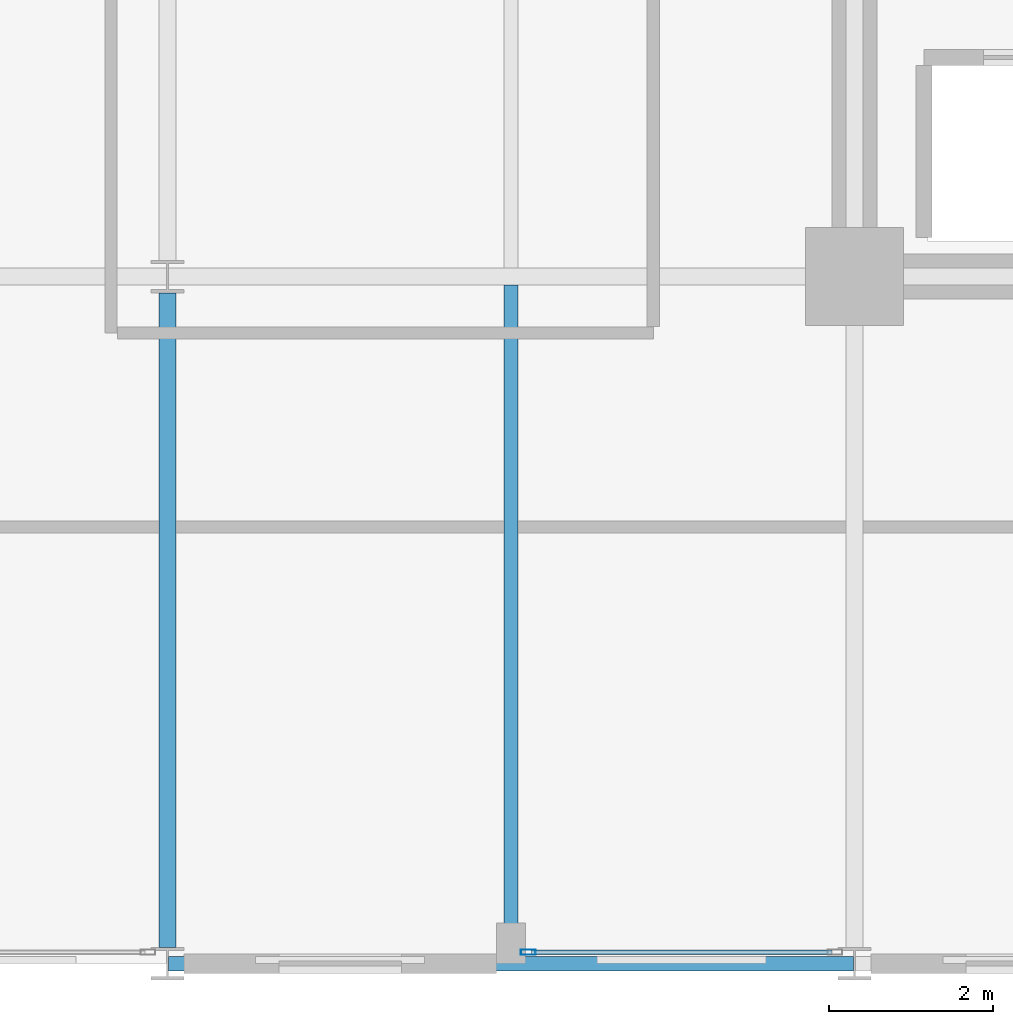
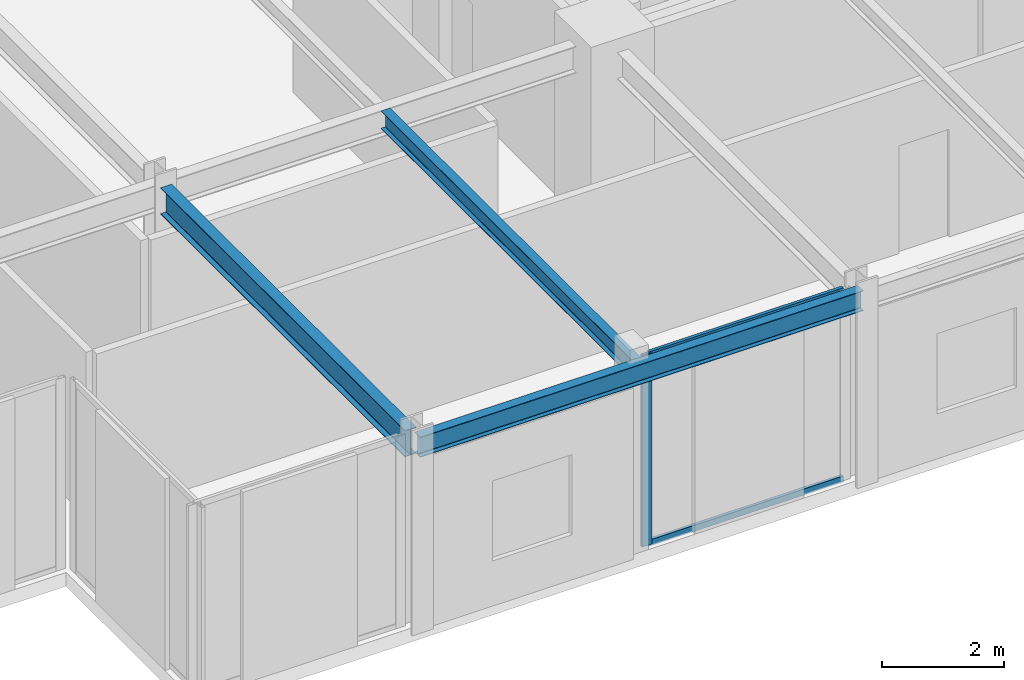
# One storey, part 3 of 29: 3 beams, 3 members, 1 element without a shape of its own.
"""IFC4 building model written with IfcOpenShell, lengths in metres."""

from ifc_helpers import new_model, si_unit, direction, frame, origin, origin_2d, place, context, subcontext, project, spatial, hollow_rectangle, i_section, extrude, material, layer, layer_set, material_profile, profile_set, type_object, element, aggregate, save


model = new_model("IFC4")

# Units and contexts
model_context = context("Model", 3, precision=1e-05, world=origin(), true_north=direction((0.0, 1.0)))
body_context = subcontext(model_context, "Body", "Model", "MODEL_VIEW")
ifc_project = project(units=[si_unit("LENGTHUNIT", "METRE"), si_unit("AREAUNIT", "SQUARE_METRE"), si_unit("VOLUMEUNIT", "CUBIC_METRE"), si_unit("PLANEANGLEUNIT", "RADIAN"), si_unit("MASSUNIT", "GRAM", prefix="KILO")], contexts=[model_context])

# Site, building, storey
site_placement = place(None, origin())
site = spatial("IfcSite", under=ifc_project, at=site_placement, CompositionType="ELEMENT")
building_placement = place(site_placement, origin())
building = spatial("IfcBuilding", under=site, at=building_placement, Name="Nerrivon Quay Data Exchange", CompositionType="ELEMENT")
storey_placement = place(building_placement, frame((0.0, 0.0, 150.0)))
storey = spatial("IfcBuildingStorey", under=building, at=storey_placement, Name="L35", CompositionType="ELEMENT", Elevation=150.0)

# Beams
ifc_material_1 = material(Name="Steel Grade 350", Category="steel")
ifc_material_profile_1 = material_profile(ifc_material_1, i_section(OverallWidth=0.208984375, OverallDepth=0.528076171875, WebThickness=0.009521484375, FlangeThickness=0.01318359375, FilletRadius=0.013916015625, at=origin_2d()), Name="530UB82.0")
ifc_profile_set_1 = profile_set([ifc_material_profile_1], Name="Steel Grade 350")
beam_type_1 = type_object("IfcBeamType", Name="BM-G4-530UB82", PredefinedType="BEAM", material=ifc_profile_set_1)
beam_1_placement = place(storey_placement, frame((8.39990234375, 0.199951171875, 3.56103515625), z_axis=(0.0, 1.0, 0.0), x_axis=(-1.0, 0.0, 0.0)))
element("IfcBeam", 1, at=beam_1_placement, inside=storey, type_object=beam_type_1, Name="L35 NS Girder X=8.4 (0.0..8.4)", PredefinedType="BEAM", context=body_context, shape_type="SweptSolid", body=[
    extrude(i_section(OverallWidth=0.208984375, OverallDepth=0.528076171875, WebThickness=0.009521484375, FlangeThickness=0.01318359375, FilletRadius=0.013916015625, at=origin_2d()), origin(), (0.0, 0.0, 1.0), 8.0),
])
ifc_material_profile_2 = material_profile(ifc_material_1, i_section(OverallWidth=0.1708984375, OverallDepth=0.35595703125, WebThickness=0.00732421875, FlangeThickness=0.011474609375, FilletRadius=0.011474609375, at=origin_2d()), Name="360UB50.7")
ifc_profile_set_2 = profile_set([ifc_material_profile_2], Name="Steel Grade 350")
beam_type_2 = type_object("IfcBeamType", Name="BM-J4-360UB51", PredefinedType="JOIST", material=ifc_profile_set_2)
beam_2_placement = place(storey_placement, frame((12.60009765625, 0.089111328125, 3.64697265625), z_axis=(0.0, 1.0, 0.0), x_axis=(-1.0, 0.0, 0.0)))
element("IfcBeam", 2, at=beam_2_placement, inside=storey, type_object=beam_type_2, Name="L35 Secondary Joist X=12.6 (0.0..8.4)", PredefinedType="JOIST", context=body_context, shape_type="SweptSolid", body=[
    extrude(i_section(OverallWidth=0.1708984375, OverallDepth=0.35595703125, WebThickness=0.00732421875, FlangeThickness=0.011474609375, FilletRadius=0.011474609375, at=origin_2d()), origin(), (0.0, 0.0, 1.0), 8.206298828125),
])
ifc_material_profile_3 = material_profile(ifc_material_1, i_section(OverallWidth=0.177978515625, OverallDepth=0.403076171875, WebThickness=0.007568359375, FlangeThickness=0.010986328125, FilletRadius=0.011474609375, at=origin_2d()), Name="410UB53.7")
ifc_profile_set_3 = profile_set([ifc_material_profile_3], Name="Steel Grade 350")
beam_type_3 = type_object("IfcBeamType", Name="BM-SP2-410UB54", PredefinedType="SPANDREL", material=ifc_profile_set_3)
beam_3_placement = place(storey_placement, frame((8.41259765625, 0.0, 3.62353515625), z_axis=(1.0, 0.0, 0.0), x_axis=(0.0, 1.0, 0.0)))
element("IfcBeam", 3, at=beam_3_placement, inside=storey, type_object=beam_type_3, Name="L35 EW Girder Y=0.0 (8.4..16.8)", PredefinedType="SPANDREL", context=body_context, shape_type="SweptSolid", body=[
    extrude(i_section(OverallWidth=0.177978515625, OverallDepth=0.403076171875, WebThickness=0.007568359375, FlangeThickness=0.010986328125, FilletRadius=0.011474609375, at=origin_2d()), origin(), (0.0, 0.0, 1.0), 8.375),
])

# Curtain wall, members
ifc_material_2 = material(Name="Anodised aluminium 6063-T6", Category="aluminium")
ifc_layer = layer(ifc_material_2, 0.2099609375)
ifc_layer_set = layer_set([ifc_layer], Name="Anodised aluminium 6063-T6")
curtain_wall_type = type_object("IfcCurtainWallType", Name="CW-SYS-02", PredefinedType="NOTDEFINED", material=ifc_layer_set)
curtain_wall_placement = place(storey_placement, origin())
curtain_wall = element("IfcCurtainWall", 4, at=curtain_wall_placement, inside=storey, type_object=curtain_wall_type, Name="L35 Unitised Curtain Wall 6", PredefinedType="NOTDEFINED")
ifc_material_profile_4 = material_profile(ifc_material_2, hollow_rectangle(XDim=0.06494140625, YDim=0.179931640625, WallThickness=0.00341796875, at=origin_2d()), Name="ALU-MULL-180x65")
ifc_profile_set_4 = profile_set([ifc_material_profile_4], Name="Anodised aluminium 6063-T6")
member_type_1 = type_object("IfcMemberType", Name="CWM-180x65", PredefinedType="MULLION", material=ifc_profile_set_4)
member_1_placement = place(storey_placement, frame((12.8125, 0.139892578125, 0.0), z_axis=(0.0, 0.0, 1.0), x_axis=(0.0, -1.0, 0.0)))
member_1 = element("IfcMember", 5, at=member_1_placement, type_object=member_type_1, Name="CW02 mullion 2", PredefinedType="MULLION", context=body_context, shape_type="SweptSolid", body=[
    extrude(hollow_rectangle(XDim=0.06494140625, YDim=0.179931640625, WallThickness=0.00341796875, at=origin_2d()), origin(), (0.0, 0.0, 1.0), 3.824951171875),
])
ifc_material_profile_5 = material_profile(ifc_material_2, hollow_rectangle(XDim=0.06005859375, YDim=0.1201171875, WallThickness=0.003173828125, at=origin_2d()), Name="ALU-TRAN-120x60")
ifc_profile_set_5 = profile_set([ifc_material_profile_5], Name="Anodised aluminium 6063-T6")
member_type_2 = type_object("IfcMemberType", Name="CWT-120x60", PredefinedType="USERDEFINED", material=ifc_profile_set_5)
member_2_placement = place(storey_placement, frame((16.52490234375, 0.139892578125, 0.032470703125), z_axis=(-1.0, 0.0, 0.0), x_axis=(0.0, -1.0, 0.0)))
member_2 = element("IfcMember", 6, at=member_2_placement, type_object=member_type_2, Name="CW02 transom 1.1", ObjectType="TRANSOM", PredefinedType="USERDEFINED", context=body_context, shape_type="SweptSolid", body=[
    extrude(hollow_rectangle(XDim=0.06005859375, YDim=0.1201171875, WallThickness=0.003173828125, at=origin_2d()), origin(), (0.0, 0.0, 1.0), 3.6748046875),
])
member_3_placement = place(storey_placement, frame((16.52490234375, 0.139892578125, 3.79248046875), z_axis=(-1.0, 0.0, 0.0), x_axis=(0.0, -1.0, 0.0)))
member_3 = element("IfcMember", 7, at=member_3_placement, type_object=member_type_2, Name="CW02 transom 1.2", ObjectType="TRANSOM", PredefinedType="USERDEFINED", context=body_context, shape_type="SweptSolid", body=[
    extrude(hollow_rectangle(XDim=0.06005859375, YDim=0.1201171875, WallThickness=0.003173828125, at=origin_2d()), origin(), (0.0, 0.0, 1.0), 3.6748046875),
])
aggregate(curtain_wall, [member_1, member_2, member_3])

save(model, "model.ifc")
